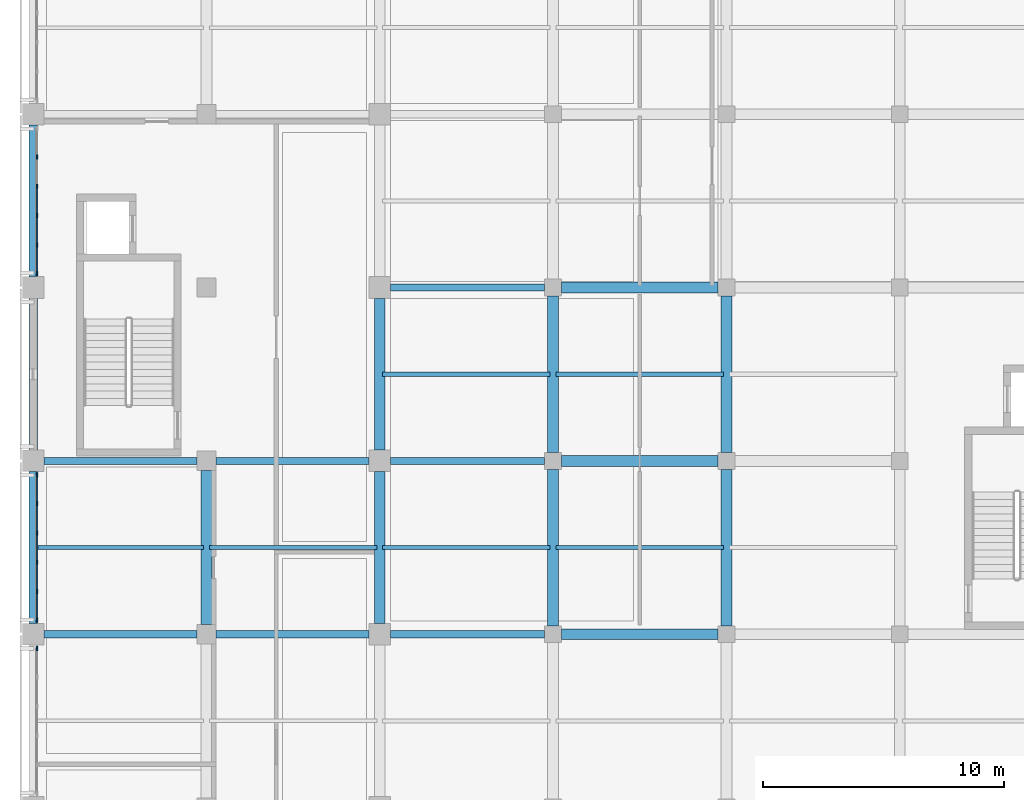
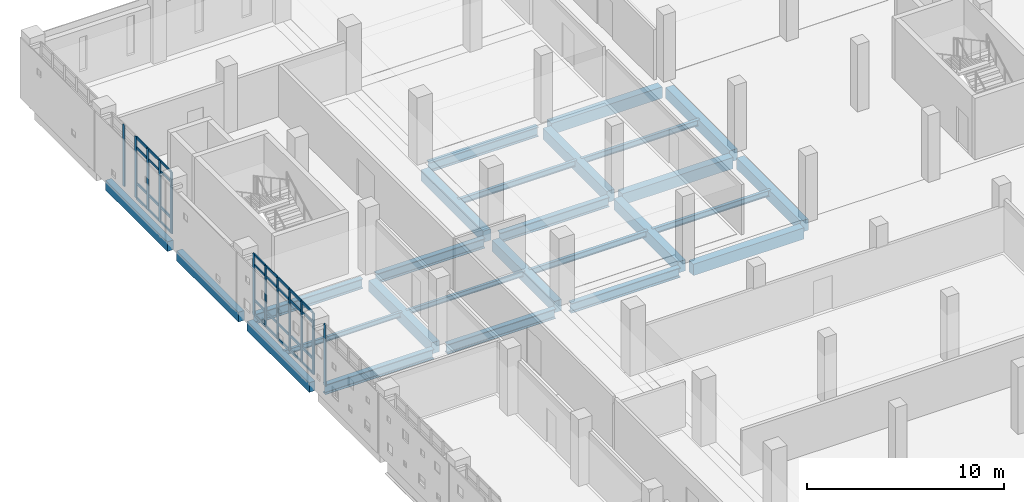
# One storey, part 15 of 57: 44 members, 26 beams, 3 elements without a shape of their own.
"""IFC4 building model written with IfcOpenShell, lengths in metres."""

import ifcopenshell
import ifcopenshell.guid

model = None  # the IFC model being written
_history = None  # IfcOwnerHistory: only IFC2X3 demands one
_inside = {}  # id of a spatial element -> (the spatial element, [elements in it])
_under = {}  # id of a project, library or spatial element -> (it, [spatial elements below it])
_declared = {}  # id of a project -> (the project, [libraries it declares])
_typed = {}  # id of a type object -> (the type object, [elements of that type])
_made_of = {}  # id of a material, layer set ... -> (it, [elements and type objects made of it])


def new_model(schema):
    """Start an empty IFC model of exactly this schema.

    Asked for "IFC4X3", IfcOpenShell would pick the latest addendum, in which some entities
    have other attributes; the version numbers below select the first issue.
    IFC2X3 requires an IfcOwnerHistory on every rooted entity: one is made here for all.
    """
    global model, _history
    if schema == "IFC4X3":
        model = ifcopenshell.file(schema_version=(4, 3, 0, 0))
    else:
        model = ifcopenshell.file(schema=schema)
    _inside.clear()
    _under.clear()
    _declared.clear()
    _typed.clear()
    _made_of.clear()
    _history = None
    if model.schema == "IFC2X3":
        org = make("IfcOrganization", Name="unknown")
        user = make(
            "IfcPersonAndOrganization",
            ThePerson=make("IfcPerson", FamilyName="unknown"),
            TheOrganization=org,
        )
        app = make(
            "IfcApplication",
            ApplicationDeveloper=org,
            Version="unknown",
            ApplicationFullName="unknown",
            ApplicationIdentifier="unknown",
        )
        _history = make(
            "IfcOwnerHistory",
            OwningUser=user,
            OwningApplication=app,
            ChangeAction="ADDED",
            CreationDate=0,
        )
    return model


def make(cls, **values):
    """One entity of the class cls with the attributes given. An attribute that is None is left unset."""
    return model.create_entity(
        cls, **{name: value for name, value in values.items() if value is not None}
    )


def rooted(cls, **values):
    """An entity with a GlobalId (a new one), such as an element, a storey or a relation."""
    return make(cls, GlobalId=ifcopenshell.guid.new(), OwnerHistory=_history, **values)


def si_unit(unit_type, name, prefix=None):
    """IfcSIUnit, for example si_unit("LENGTHUNIT", "METRE", prefix="MILLI")."""
    return make("IfcSIUnit", UnitType=unit_type, Prefix=prefix, Name=name)


def assignment(units):
    """IfcUnitAssignment: the units of a project."""
    return None if units is None else make("IfcUnitAssignment", Units=units)


def point(xyz):
    """IfcCartesianPoint."""
    return None if xyz is None else make("IfcCartesianPoint", Coordinates=xyz)


def direction(xyz):
    """IfcDirection."""
    return None if xyz is None else make("IfcDirection", DirectionRatios=xyz)


def frame(location, z_axis=None, x_axis=None):
    """IfcAxis2Placement3D, a coordinate frame: its origin and axes. An axis left out is left unset."""
    return make(
        "IfcAxis2Placement3D",
        Location=point(location),
        Axis=direction(z_axis),
        RefDirection=direction(x_axis),
    )


def frame_2d(location, x_axis=None):
    """IfcAxis2Placement2D, a coordinate frame in the plane: its origin and x axis."""
    return make(
        "IfcAxis2Placement2D", Location=point(location), RefDirection=direction(x_axis)
    )


def origin():
    """The frame at (0, 0, 0) with its axes left unset."""
    return frame((0.0, 0.0, 0.0))


def origin_2d():
    """The frame at (0, 0) in the plane with its x axis left unset."""
    return frame_2d((0.0, 0.0))


def place(relative_to, where):
    """IfcLocalPlacement: puts the frame where relative to a parent placement (None: the world)."""
    return make(
        "IfcLocalPlacement", PlacementRelTo=relative_to, RelativePlacement=where
    )


def context(
    kind, dimensions, precision=None, world=None, true_north=None, identifier=None
):
    """IfcGeometricRepresentationContext, for example the 3D "Model" context."""
    return make(
        "IfcGeometricRepresentationContext",
        ContextIdentifier=identifier,
        ContextType=kind,
        CoordinateSpaceDimension=dimensions,
        Precision=precision,
        WorldCoordinateSystem=world,
        TrueNorth=true_north,
    )


def subcontext(parent, identifier, kind, view, scale=None):
    """IfcGeometricRepresentationSubContext, for example "Body" below "Model"."""
    return make(
        "IfcGeometricRepresentationSubContext",
        ContextIdentifier=identifier,
        ContextType=kind,
        ParentContext=parent,
        TargetScale=scale,
        TargetView=view,
    )


def project(units=None, contexts=None):
    """IfcProject with its units and contexts."""
    return rooted(
        "IfcProject",
        Name="project",
        RepresentationContexts=contexts,
        UnitsInContext=assignment(units),
    )


def spatial(cls, under=None, at=None, **own):
    """A site, building, storey or space (cls), placed at a placement, below another one or the project."""
    s = rooted(cls, ObjectPlacement=at, **own)
    if under is not None:
        _under.setdefault(under.id(), (under, []))[1].append(s)
    return s


def profile(cls, at=None, kind="AREA", **sizes):
    """A parametric profile (cls). Its sizes go by their IFC names, for example OverallWidth=200.0."""
    return make(cls, ProfileType=kind, Position=at, **sizes)


def rectangle(**sizes):
    """IfcRectangleProfileDef."""
    return profile("IfcRectangleProfileDef", **sizes)


def i_section(**sizes):
    """IfcIShapeProfileDef."""
    return profile("IfcIShapeProfileDef", **sizes)


def extrude(swept, where, along, depth):
    """IfcExtrudedAreaSolid: the profile swept, set in the frame where, extruded along a direction by depth."""
    return make(
        "IfcExtrudedAreaSolid",
        SweptArea=swept,
        Position=where,
        ExtrudedDirection=direction(along),
        Depth=depth,
    )


def shape(context_of_items, identifier, shape_type, items):
    """IfcShapeRepresentation: the items that make up one representation, for example the "Body"."""
    return make(
        "IfcShapeRepresentation",
        ContextOfItems=context_of_items,
        RepresentationIdentifier=identifier,
        RepresentationType=shape_type,
        Items=items,
    )


def material(Name=None, Category=None):
    """IfcMaterial."""
    return make("IfcMaterial", Name=Name, Category=Category)


def layer(
    of_material, thickness, ventilated=None, Name=None, Category=None, Priority=None
):
    """IfcMaterialLayer: one layer of a wall or slab, of a material (None: an air gap)."""
    return make(
        "IfcMaterialLayer",
        Material=of_material,
        LayerThickness=thickness,
        IsVentilated=ventilated,
        Name=Name,
        Category=Category,
        Priority=Priority,
    )


def layer_set(layers, Name=None):
    """IfcMaterialLayerSet."""
    return make("IfcMaterialLayerSet", MaterialLayers=layers, LayerSetName=Name)


def material_profile(
    of_material, cross_section, Name=None, Category=None, Priority=None
):
    """IfcMaterialProfile: a cross section and its material."""
    return make(
        "IfcMaterialProfile",
        Name=Name,
        Material=of_material,
        Profile=cross_section,
        Priority=Priority,
        Category=Category,
    )


def profile_set(profiles, Name=None, composite=None):
    """IfcMaterialProfileSet."""
    return make(
        "IfcMaterialProfileSet",
        Name=Name,
        MaterialProfiles=profiles,
        CompositeProfile=composite,
    )


def made_of(thing, what):
    """Note that an element or type object is made of a material, layer set ...; save() writes the relation."""
    if what is not None:
        _made_of.setdefault(what.id(), (what, []))[1].append(thing)
    return thing


def type_object(cls, material=None, **own):
    """A type object (cls), such as IfcWallType, which elements share."""
    return made_of(rooted(cls, **own), material)


def element(
    cls,
    number,
    at=None,
    inside=None,
    cuts=None,
    type_object=None,
    material=None,
    context=None,
    identifier="Body",
    shape_type=None,
    held_by="IfcProductDefinitionShape",
    body=None,
    shapes=None,
    **own,
):
    """One element of the class cls, such as IfcWall. Its Tag is "e" and its number.

    at: its placement. inside: the storey or other place that contains it. cuts: it is an
    opening in that element (IfcRelVoidsElement). A single representation is given by context,
    identifier, shape_type and body (its items); several are given by shapes. held_by: the class
    of the entity that holds the representations. save() writes the other relations.
    """
    e = rooted(cls, Tag="e%d" % number, ObjectPlacement=at, **own)
    if body is not None:
        shapes = [shape(context, identifier, shape_type, body)]
    if shapes is not None:
        e.Representation = make(held_by, Representations=shapes)
    if inside is not None:
        _inside.setdefault(inside.id(), (inside, []))[1].append(e)
    if cuts is not None:
        rooted(
            "IfcRelVoidsElement", RelatingBuildingElement=cuts, RelatedOpeningElement=e
        )
    if type_object is not None:
        _typed.setdefault(type_object.id(), (type_object, []))[1].append(e)
    return made_of(e, material)


def aggregate(whole, parts):
    """IfcRelAggregates: a whole, such as a stair, and the parts it consists of."""
    return rooted("IfcRelAggregates", RelatingObject=whole, RelatedObjects=parts)


def save(model, path):
    """Write the relations noted so far, then the file.

    IfcRelAggregates (storeys below a building ...), IfcRelContainedInSpatialStructure (elements
    in a storey), IfcRelDefinesByType, IfcRelAssociatesMaterial and IfcRelDeclares: one each for
    every whole, place, type object, material and project.
    """
    for whole, parts in _under.values():
        aggregate(whole, parts)
    for where, things in _inside.values():
        rooted(
            "IfcRelContainedInSpatialStructure",
            RelatedElements=things,
            RelatingStructure=where,
        )
    for kind, things in _typed.values():
        rooted("IfcRelDefinesByType", RelatedObjects=things, RelatingType=kind)
    for what, things in _made_of.values():
        rooted("IfcRelAssociatesMaterial", RelatedObjects=things, RelatingMaterial=what)
    for by, libraries in _declared.values():
        rooted("IfcRelDeclares", RelatingContext=by, RelatedDefinitions=libraries)
    model.write(path)


model = new_model("IFC4")

# Units and contexts
model_context = context("Model", 3, precision=1e-05, world=origin(), true_north=direction((0.0, 1.0)))
body_context = subcontext(model_context, "Body", "Model", "MODEL_VIEW")
ifc_project = project(units=[si_unit("LENGTHUNIT", "METRE"), si_unit("AREAUNIT", "SQUARE_METRE"), si_unit("VOLUMEUNIT", "CUBIC_METRE"), si_unit("PLANEANGLEUNIT", "RADIAN"), si_unit("MASSUNIT", "GRAM", prefix="KILO")], contexts=[model_context])

# Site, building, storey
site_placement = place(None, origin())
site = spatial("IfcSite", under=ifc_project, at=site_placement, CompositionType="ELEMENT")
building_placement = place(site_placement, origin())
building = spatial("IfcBuilding", under=site, at=building_placement, Name="Valkovuoma Quantum and Materials Research Institute", CompositionType="ELEMENT")
storey_placement = place(building_placement, frame((0.0, 0.0, 4.800048828125)))
storey = spatial("IfcBuildingStorey", under=building, at=storey_placement, Name="L01", CompositionType="ELEMENT", Elevation=4.800048828125)

# Beams
ifc_material_1 = material(Name="Steel S355J2", Category="steel")
ifc_material_profile_1 = material_profile(ifc_material_1, i_section(OverallWidth=0.300048828125, OverallDepth=0.60009765625, WebThickness=0.015380859375, FlangeThickness=0.030029296875, FilletRadius=0.027099609375, at=origin_2d()), Name="Steel S355J2")
ifc_profile_set_1 = profile_set([ifc_material_profile_1], Name="Steel S355J2")
beam_type_1 = type_object("IfcBeamType", Name="Beam-B-HEB600", PredefinedType="BEAM", material=ifc_profile_set_1)
beam_1_placement = place(storey_placement, frame((0.449951171875, 64.800048828125, -0.650146484375), z_axis=(1.0, 0.0, 0.0), x_axis=(0.0, 1.0, 0.0)))
element("IfcBeam", 1, at=beam_1_placement, inside=storey, type_object=beam_type_1, Name="L01 beam X-0628", PredefinedType="BEAM", context=body_context, shape_type="SweptSolid", body=[
    extrude(i_section(OverallWidth=0.300048828125, OverallDepth=0.60009765625, WebThickness=0.015380859375, FlangeThickness=0.030029296875, FilletRadius=0.027099609375, at=origin_2d()), origin(), (0.0, 0.0, 1.0), 6.35009765625),
])
beam_2_placement = place(storey_placement, frame((7.60009765625, 64.800048828125, -0.650146484375), z_axis=(1.0, 0.0, 0.0), x_axis=(0.0, 1.0, 0.0)))
element("IfcBeam", 2, at=beam_2_placement, inside=storey, type_object=beam_type_1, Name="L01 beam X-0629", PredefinedType="BEAM", context=body_context, shape_type="SweptSolid", body=[
    extrude(i_section(OverallWidth=0.300048828125, OverallDepth=0.60009765625, WebThickness=0.015380859375, FlangeThickness=0.030029296875, FilletRadius=0.027099609375, at=origin_2d()), origin(), (0.0, 0.0, 1.0), 6.349853515625),
])
beam_3_placement = place(storey_placement, frame((14.85009765625, 64.800048828125, -0.650146484375), z_axis=(1.0, 0.0, 0.0), x_axis=(0.0, 1.0, 0.0)))
element("IfcBeam", 3, at=beam_3_placement, inside=storey, type_object=beam_type_1, Name="L01 beam X-0630", PredefinedType="BEAM", context=body_context, shape_type="SweptSolid", body=[
    extrude(i_section(OverallWidth=0.300048828125, OverallDepth=0.60009765625, WebThickness=0.015380859375, FlangeThickness=0.030029296875, FilletRadius=0.027099609375, at=origin_2d()), origin(), (0.0, 0.0, 1.0), 6.39990234375),
])
beam_4_placement = place(storey_placement, frame((0.449951171875, 72.0, -0.650146484375), z_axis=(1.0, 0.0, 0.0), x_axis=(0.0, 1.0, 0.0)))
element("IfcBeam", 4, at=beam_4_placement, inside=storey, type_object=beam_type_1, Name="L01 beam X-0647", PredefinedType="BEAM", context=body_context, shape_type="SweptSolid", body=[
    extrude(i_section(OverallWidth=0.300048828125, OverallDepth=0.60009765625, WebThickness=0.015380859375, FlangeThickness=0.030029296875, FilletRadius=0.027099609375, at=origin_2d()), origin(), (0.0, 0.0, 1.0), 6.35009765625),
])
beam_5_placement = place(storey_placement, frame((7.60009765625, 72.0, -0.650146484375), z_axis=(1.0, 0.0, 0.0), x_axis=(0.0, 1.0, 0.0)))
element("IfcBeam", 5, at=beam_5_placement, inside=storey, type_object=beam_type_1, Name="L01 beam X-0648", PredefinedType="BEAM", context=body_context, shape_type="SweptSolid", body=[
    extrude(i_section(OverallWidth=0.300048828125, OverallDepth=0.60009765625, WebThickness=0.015380859375, FlangeThickness=0.030029296875, FilletRadius=0.027099609375, at=origin_2d()), origin(), (0.0, 0.0, 1.0), 6.349853515625),
])
for number, where, z_axis, x_axis, name in (
    (6, (14.85009765625, 72.0, -0.650146484375), (1.0, 0.0, 0.0), (0.0, 1.0, 0.0), "L01 beam X-0649"),
    (7, (14.85009765625, 79.199951171875, -0.650146484375), (1.0, 0.0, 0.0), (0.0, 1.0, 0.0), "L01 beam X-0657"),
):
    element("IfcBeam", number, at=place(storey_placement, frame(where, z_axis=z_axis, x_axis=x_axis)), inside=storey, type_object=beam_type_1, Name=name, PredefinedType="BEAM", context=body_context, shape_type="SweptSolid", body=[
        extrude(i_section(OverallWidth=0.300048828125, OverallDepth=0.60009765625, WebThickness=0.015380859375, FlangeThickness=0.030029296875, FilletRadius=0.027099609375, at=origin_2d()), origin(), (0.0, 0.0, 1.0), 6.39990234375),
    ])
ifc_material_2 = material(Name="Steel S355J2", Category="steel")
ifc_material_profile_2 = material_profile(ifc_material_2, i_section(OverallWidth=0.14990234375, OverallDepth=0.300048828125, WebThickness=0.007080078125, FlangeThickness=0.0107421875, FilletRadius=0.014892578125, at=origin_2d()), Name="Steel S355J2")
ifc_profile_set_2 = profile_set([ifc_material_profile_2], Name="Steel S355J2")
beam_type_2 = type_object("IfcBeamType", Name="Beam-B-JST300", PredefinedType="JOIST", material=ifc_profile_set_2)
for number, where, z_axis, x_axis, name in (
    (8, (0.1201171875, 68.39990234375, -0.5), (1.0, 0.0, 0.0), (0.0, 1.0, 0.0), "L01 floor joist 0923"),
    (9, (7.320068359375, 68.39990234375, -0.5), (1.0, 0.0, 0.0), (0.0, 1.0, 0.0), "L01 floor joist 0924"),
):
    element("IfcBeam", number, at=place(storey_placement, frame(where, z_axis=z_axis, x_axis=x_axis)), inside=storey, type_object=beam_type_2, Name=name, PredefinedType="JOIST", context=body_context, shape_type="SweptSolid", body=[
        extrude(i_section(OverallWidth=0.14990234375, OverallDepth=0.300048828125, WebThickness=0.007080078125, FlangeThickness=0.0107421875, FilletRadius=0.014892578125, at=origin_2d()), origin(), (0.0, 0.0, 1.0), 6.9599609375),
    ])
ifc_material_3 = material(Name="Steel S355J2", Category="steel")
ifc_material_profile_3 = material_profile(ifc_material_3, i_section(OverallWidth=0.169921875, OverallDepth=0.360107421875, WebThickness=0.008056640625, FlangeThickness=0.0126953125, FilletRadius=0.01806640625, at=origin_2d()), Name="Steel S355J2")
ifc_profile_set_3 = profile_set([ifc_material_profile_3], Name="Steel S355J2")
beam_type_3 = type_object("IfcBeamType", Name="Beam-B-JST360", PredefinedType="JOIST", material=ifc_profile_set_3)
for number, where, z_axis, x_axis, name in (
    (10, (14.52001953125, 68.39990234375, -0.530029296875), (1.0, 0.0, 0.0), (0.0, 1.0, 0.0), "L01 floor joist 0925"),
    (11, (21.719970703125, 68.39990234375, -0.530029296875), (1.0, 0.0, 0.0), (0.0, 1.0, 0.0), "L01 floor joist 0926"),
    (12, (14.52001953125, 75.60009765625, -0.530029296875), (1.0, 0.0, 0.0), (0.0, 1.0, 0.0), "L01 floor joist 0932"),
    (13, (21.719970703125, 75.60009765625, -0.530029296875), (1.0, 0.0, 0.0), (0.0, 1.0, 0.0), "L01 floor joist 0933"),
):
    element("IfcBeam", number, at=place(storey_placement, frame(where, z_axis=z_axis, x_axis=x_axis)), inside=storey, type_object=beam_type_3, Name=name, PredefinedType="JOIST", context=body_context, shape_type="SweptSolid", body=[
        extrude(i_section(OverallWidth=0.169921875, OverallDepth=0.360107421875, WebThickness=0.008056640625, FlangeThickness=0.0126953125, FilletRadius=0.01806640625, at=origin_2d()), origin(), (0.0, 0.0, 1.0), 6.9599609375),
    ])
ifc_material_4 = material(Name="Concrete C40/50", Category="concrete")
ifc_material_profile_4 = material_profile(ifc_material_4, rectangle(XDim=0.449951171875, YDim=0.699951171875, at=origin_2d()), Name="Concrete C40/50")
ifc_profile_set_4 = profile_set([ifc_material_profile_4], Name="Concrete C40/50")
beam_type_4 = type_object("IfcBeamType", Name="Beam-B-RC700", PredefinedType="BEAM", material=ifc_profile_set_4)
for number, where, z_axis, x_axis, name in (
    (14, (21.949951171875, 64.800048828125, -0.699951171875), (1.0, 0.0, 0.0), (0.0, 1.0, 0.0), "L01 beam X-0631"),
    (15, (21.949951171875, 72.0, -0.699951171875), (1.0, 0.0, 0.0), (0.0, 1.0, 0.0), "L01 beam X-0650"),
    (16, (21.949951171875, 79.199951171875, -0.699951171875), (1.0, 0.0, 0.0), (0.0, 1.0, 0.0), "L01 beam X-0658"),
):
    element("IfcBeam", number, at=place(storey_placement, frame(where, z_axis=z_axis, x_axis=x_axis)), inside=storey, type_object=beam_type_4, Name=name, PredefinedType="BEAM", context=body_context, shape_type="SweptSolid", body=[
        extrude(rectangle(XDim=0.449951171875, YDim=0.699951171875, at=origin_2d()), origin(), (0.0, 0.0, 1.0), 6.5),
    ])
beam_6_placement = place(storey_placement, frame((7.199951171875, 65.199951171875, -0.699951171875), z_axis=(0.0, 1.0, 0.0), x_axis=(-1.0, 0.0, 0.0)))
element("IfcBeam", 17, at=beam_6_placement, inside=storey, type_object=beam_type_4, Name="L01 beam Y-0722", PredefinedType="BEAM", context=body_context, shape_type="SweptSolid", body=[
    extrude(rectangle(XDim=0.449951171875, YDim=0.699951171875, at=origin_2d()), origin(), (0.0, 0.0, 1.0), 6.400146484375),
])
for number, where, z_axis, x_axis, name in (
    (18, (14.39990234375, 65.25, -0.699951171875), (0.0, 1.0, 0.0), (-1.0, 0.0, 0.0), "L01 beam Y-0725"),
    (19, (14.39990234375, 72.449951171875, -0.699951171875), (0.0, 1.0, 0.0), (-1.0, 0.0, 0.0), "L01 beam Y-0726"),
):
    element("IfcBeam", number, at=place(storey_placement, frame(where, z_axis=z_axis, x_axis=x_axis)), inside=storey, type_object=beam_type_4, Name=name, PredefinedType="BEAM", context=body_context, shape_type="SweptSolid", body=[
        extrude(rectangle(XDim=0.449951171875, YDim=0.699951171875, at=origin_2d()), origin(), (0.0, 0.0, 1.0), 6.300048828125),
    ])
for number, where, z_axis, x_axis, name in (
    (20, (21.60009765625, 65.14990234375, -0.699951171875), (0.0, 1.0, 0.0), (-1.0, 0.0, 0.0), "L01 beam Y-0735"),
    (21, (21.60009765625, 72.35009765625, -0.699951171875), (0.0, 1.0, 0.0), (-1.0, 0.0, 0.0), "L01 beam Y-0736"),
    (22, (28.800048828125, 65.14990234375, -0.699951171875), (0.0, 1.0, 0.0), (-1.0, 0.0, 0.0), "L01 beam Y-0745"),
    (23, (28.800048828125, 72.35009765625, -0.699951171875), (0.0, 1.0, 0.0), (-1.0, 0.0, 0.0), "L01 beam Y-0746"),
):
    element("IfcBeam", number, at=place(storey_placement, frame(where, z_axis=z_axis, x_axis=x_axis)), inside=storey, type_object=beam_type_4, Name=name, PredefinedType="BEAM", context=body_context, shape_type="SweptSolid", body=[
        extrude(rectangle(XDim=0.449951171875, YDim=0.699951171875, at=origin_2d()), origin(), (0.0, 0.0, 1.0), 6.5),
    ])
ifc_material_5 = material(Name="Concrete C40/50", Category="concrete")
ifc_material_profile_5 = material_profile(ifc_material_5, rectangle(XDim=0.35009765625, YDim=0.60009765625, at=origin_2d()), Name="Concrete C40/50")
ifc_profile_set_5 = profile_set([ifc_material_profile_5], Name="Concrete C40/50")
beam_type_5 = type_object("IfcBeamType", Name="Beam-B-SPN600", PredefinedType="SPANDREL", material=ifc_profile_set_5)
for number, where, z_axis, x_axis, name in (
    (24, (0.0, 65.25, -0.650146484375), (0.0, 1.0, 0.0), (-1.0, 0.0, 0.0), "L01 beam Y-0717"),
    (25, (0.0, 72.449951171875, -0.650146484375), (0.0, 1.0, 0.0), (-1.0, 0.0, 0.0), "L01 beam Y-0718"),
    (26, (0.0, 79.64990234375, -0.650146484375), (0.0, 1.0, 0.0), (-1.0, 0.0, 0.0), "L01 beam Y-0719"),
):
    element("IfcBeam", number, at=place(storey_placement, frame(where, z_axis=z_axis, x_axis=x_axis)), inside=storey, type_object=beam_type_5, Name=name, PredefinedType="SPANDREL", context=body_context, shape_type="SweptSolid", body=[
        extrude(rectangle(XDim=0.35009765625, YDim=0.60009765625, at=origin_2d()), origin(), (0.0, 0.0, 1.0), 6.300048828125),
    ])

# Curtain wall, member
ifc_material_6 = material(Name="Thermally broken aluminium and triple low-E glazing", Category="aluminium")
ifc_layer = layer(ifc_material_6, 0.219970703125)
ifc_layer_set = layer_set([ifc_layer], Name="Thermally broken aluminium and triple low-E glazing")
curtain_wall_type = type_object("IfcCurtainWallType", Name="CW-CW-01", PredefinedType="NOTDEFINED", material=ifc_layer_set)
curtain_wall_1_placement = place(storey_placement, origin())
curtain_wall_1 = element("IfcCurtainWall", 27, at=curtain_wall_1_placement, inside=storey, type_object=curtain_wall_type, Name="L01 curtain wall 014", PredefinedType="NOTDEFINED")
ifc_material_7 = material(Name="Anodised aluminium 6060-T66", Category="aluminium")
ifc_material_profile_6 = material_profile(ifc_material_7, rectangle(XDim=0.06494140625, YDim=0.179931640625, at=origin_2d()), Name="Anodised aluminium 6060-T66")
ifc_profile_set_6 = profile_set([ifc_material_profile_6], Name="Anodised aluminium 6060-T66")
member_type_1 = type_object("IfcMemberType", Name="CWMull-CWM-01", PredefinedType="MULLION", material=ifc_profile_set_6)
member_1_placement = place(storey_placement, frame((0.14990234375, 64.21044921875, 0.0), z_axis=(0.0, 0.0, 1.0), x_axis=(-1.0, 0.0, 0.0)))
member_1 = element("IfcMember", 28, at=member_1_placement, type_object=member_type_1, Name="CW-01 mullion 6", PredefinedType="MULLION", context=body_context, shape_type="SweptSolid", body=[
    extrude(rectangle(XDim=0.06494140625, YDim=0.179931640625, at=origin_2d()), origin(), (0.0, 0.0, 1.0), 3.81005859375),
])
aggregate(curtain_wall_1, [member_1])

# Curtain wall, members
curtain_wall_2_placement = place(storey_placement, origin())
curtain_wall_2 = element("IfcCurtainWall", 29, at=curtain_wall_2_placement, inside=storey, type_object=curtain_wall_type, Name="L01 curtain wall 015", PredefinedType="NOTDEFINED")
member_2_placement = place(storey_placement, frame((0.14990234375, 65.3896484375, 0.0), z_axis=(0.0, 0.0, 1.0), x_axis=(-1.0, 0.0, 0.0)))
member_2 = element("IfcMember", 30, at=member_2_placement, type_object=member_type_1, Name="CW-01 mullion 1", PredefinedType="MULLION", context=body_context, shape_type="SweptSolid", body=[
    extrude(rectangle(XDim=0.06494140625, YDim=0.179931640625, at=origin_2d()), origin(), (0.0, 0.0, 1.0), 3.81005859375),
])
member_3_placement = place(storey_placement, frame((0.14990234375, 66.57421875, 0.0), z_axis=(0.0, 0.0, 1.0), x_axis=(-1.0, 0.0, 0.0)))
member_3 = element("IfcMember", 31, at=member_3_placement, type_object=member_type_1, Name="CW-01 mullion 2", PredefinedType="MULLION", context=body_context, shape_type="SweptSolid", body=[
    extrude(rectangle(XDim=0.06494140625, YDim=0.179931640625, at=origin_2d()), origin(), (0.0, 0.0, 1.0), 3.81005859375),
])
member_4_placement = place(storey_placement, frame((0.14990234375, 67.79150390625, 0.0), z_axis=(0.0, 0.0, 1.0), x_axis=(-1.0, 0.0, 0.0)))
member_4 = element("IfcMember", 32, at=member_4_placement, type_object=member_type_1, Name="CW-01 mullion 3", PredefinedType="MULLION", context=body_context, shape_type="SweptSolid", body=[
    extrude(rectangle(XDim=0.06494140625, YDim=0.179931640625, at=origin_2d()), origin(), (0.0, 0.0, 1.0), 3.81005859375),
])
member_5_placement = place(storey_placement, frame((0.14990234375, 69.008544921875, 0.0), z_axis=(0.0, 0.0, 1.0), x_axis=(-1.0, 0.0, 0.0)))
member_5 = element("IfcMember", 33, at=member_5_placement, type_object=member_type_1, Name="CW-01 mullion 4", PredefinedType="MULLION", context=body_context, shape_type="SweptSolid", body=[
    extrude(rectangle(XDim=0.06494140625, YDim=0.179931640625, at=origin_2d()), origin(), (0.0, 0.0, 1.0), 3.81005859375),
])
member_6_placement = place(storey_placement, frame((0.14990234375, 70.225830078125, 0.0), z_axis=(0.0, 0.0, 1.0), x_axis=(-1.0, 0.0, 0.0)))
member_6 = element("IfcMember", 34, at=member_6_placement, type_object=member_type_1, Name="CW-01 mullion 5", PredefinedType="MULLION", context=body_context, shape_type="SweptSolid", body=[
    extrude(rectangle(XDim=0.06494140625, YDim=0.179931640625, at=origin_2d()), origin(), (0.0, 0.0, 1.0), 3.81005859375),
])
member_7_placement = place(storey_placement, frame((0.14990234375, 71.410400390625, 0.0), z_axis=(0.0, 0.0, 1.0), x_axis=(-1.0, 0.0, 0.0)))
member_7 = element("IfcMember", 35, at=member_7_placement, type_object=member_type_1, Name="CW-01 mullion 6", PredefinedType="MULLION", context=body_context, shape_type="SweptSolid", body=[
    extrude(rectangle(XDim=0.06494140625, YDim=0.179931640625, at=origin_2d()), origin(), (0.0, 0.0, 1.0), 3.81005859375),
])

curtain_wall_3_placement = place(storey_placement, origin())
curtain_wall_3 = element("IfcCurtainWall", 36, at=curtain_wall_3_placement, inside=storey, type_object=curtain_wall_type, Name="L01 curtain wall 016", PredefinedType="NOTDEFINED")
member_8_placement = place(storey_placement, frame((0.14990234375, 79.78955078125, 0.0), z_axis=(0.0, 0.0, 1.0), x_axis=(-1.0, 0.0, 0.0)))
member_8 = element("IfcMember", 37, at=member_8_placement, type_object=member_type_1, Name="CW-01 mullion 1", PredefinedType="MULLION", context=body_context, shape_type="SweptSolid", body=[
    extrude(rectangle(XDim=0.06494140625, YDim=0.179931640625, at=origin_2d()), origin(), (0.0, 0.0, 1.0), 3.81005859375),
])
member_9_placement = place(storey_placement, frame((0.14990234375, 80.974365234375, 0.0), z_axis=(0.0, 0.0, 1.0), x_axis=(-1.0, 0.0, 0.0)))
member_9 = element("IfcMember", 38, at=member_9_placement, type_object=member_type_1, Name="CW-01 mullion 2", PredefinedType="MULLION", context=body_context, shape_type="SweptSolid", body=[
    extrude(rectangle(XDim=0.06494140625, YDim=0.179931640625, at=origin_2d()), origin(), (0.0, 0.0, 1.0), 3.81005859375),
])
member_10_placement = place(storey_placement, frame((0.14990234375, 82.19140625, 0.0), z_axis=(0.0, 0.0, 1.0), x_axis=(-1.0, 0.0, 0.0)))
member_10 = element("IfcMember", 39, at=member_10_placement, type_object=member_type_1, Name="CW-01 mullion 3", PredefinedType="MULLION", context=body_context, shape_type="SweptSolid", body=[
    extrude(rectangle(XDim=0.06494140625, YDim=0.179931640625, at=origin_2d()), origin(), (0.0, 0.0, 1.0), 3.81005859375),
])
member_11_placement = place(storey_placement, frame((0.14990234375, 83.40869140625, 0.0), z_axis=(0.0, 0.0, 1.0), x_axis=(-1.0, 0.0, 0.0)))
member_11 = element("IfcMember", 40, at=member_11_placement, type_object=member_type_1, Name="CW-01 mullion 4", PredefinedType="MULLION", context=body_context, shape_type="SweptSolid", body=[
    extrude(rectangle(XDim=0.06494140625, YDim=0.179931640625, at=origin_2d()), origin(), (0.0, 0.0, 1.0), 3.81005859375),
])
member_12_placement = place(storey_placement, frame((0.14990234375, 84.625732421875, 0.0), z_axis=(0.0, 0.0, 1.0), x_axis=(-1.0, 0.0, 0.0)))
member_12 = element("IfcMember", 41, at=member_12_placement, type_object=member_type_1, Name="CW-01 mullion 5", PredefinedType="MULLION", context=body_context, shape_type="SweptSolid", body=[
    extrude(rectangle(XDim=0.06494140625, YDim=0.179931640625, at=origin_2d()), origin(), (0.0, 0.0, 1.0), 3.81005859375),
])

# Member
ifc_material_8 = material(Name="Anodised aluminium 6060-T66", Category="aluminium")
ifc_material_profile_7 = material_profile(ifc_material_8, rectangle(XDim=0.06494140625, YDim=0.139892578125, at=origin_2d()), Name="Anodised aluminium 6060-T66")
ifc_profile_set_7 = profile_set([ifc_material_profile_7], Name="Anodised aluminium 6060-T66")
member_type_2 = type_object("IfcMemberType", Name="CWTran-CWT-01", PredefinedType="USERDEFINED", material=ifc_profile_set_7)
member_13_placement = place(storey_placement, frame((0.14990234375, 65.422119140625, 0.032470703125), z_axis=(0.0, 1.0, 0.0), x_axis=(-1.0, 0.0, 0.0)))
member_13 = element("IfcMember", 42, at=member_13_placement, type_object=member_type_2, Name="CW-01 transom 1.1", ObjectType="TRANSOM", PredefinedType="USERDEFINED", context=body_context, shape_type="SweptSolid", body=[
    extrude(rectangle(XDim=0.06494140625, YDim=0.139892578125, at=origin_2d()), origin(), (0.0, 0.0, 1.0), 1.11962890625),
])

member_14_placement = place(storey_placement, frame((0.14990234375, 65.422119140625, 0.949951171875), z_axis=(0.0, 1.0, 0.0), x_axis=(-1.0, 0.0, 0.0)))
member_14 = element("IfcMember", 43, at=member_14_placement, type_object=member_type_2, Name="CW-01 transom 1.2", ObjectType="TRANSOM", PredefinedType="USERDEFINED", context=body_context, shape_type="SweptSolid", body=[
    extrude(rectangle(XDim=0.06494140625, YDim=0.139892578125, at=origin_2d()), origin(), (0.0, 0.0, 1.0), 1.11962890625),
])

member_15_placement = place(storey_placement, frame((0.14990234375, 65.422119140625, 3.159912109375), z_axis=(0.0, 1.0, 0.0), x_axis=(-1.0, 0.0, 0.0)))
member_15 = element("IfcMember", 44, at=member_15_placement, type_object=member_type_2, Name="CW-01 transom 1.3", ObjectType="TRANSOM", PredefinedType="USERDEFINED", context=body_context, shape_type="SweptSolid", body=[
    extrude(rectangle(XDim=0.06494140625, YDim=0.139892578125, at=origin_2d()), origin(), (0.0, 0.0, 1.0), 1.11962890625),
])

member_16_placement = place(storey_placement, frame((0.14990234375, 65.422119140625, 3.77734375), z_axis=(0.0, 1.0, 0.0), x_axis=(-1.0, 0.0, 0.0)))
member_16 = element("IfcMember", 45, at=member_16_placement, type_object=member_type_2, Name="CW-01 transom 1.4", ObjectType="TRANSOM", PredefinedType="USERDEFINED", context=body_context, shape_type="SweptSolid", body=[
    extrude(rectangle(XDim=0.06494140625, YDim=0.139892578125, at=origin_2d()), origin(), (0.0, 0.0, 1.0), 1.11962890625),
])

member_17_placement = place(storey_placement, frame((0.14990234375, 66.606689453125, 0.032470703125), z_axis=(0.0, 1.0, 0.0), x_axis=(-1.0, 0.0, 0.0)))
member_17 = element("IfcMember", 46, at=member_17_placement, type_object=member_type_2, Name="CW-01 transom 2.1", ObjectType="TRANSOM", PredefinedType="USERDEFINED", context=body_context, shape_type="SweptSolid", body=[
    extrude(rectangle(XDim=0.06494140625, YDim=0.139892578125, at=origin_2d()), origin(), (0.0, 0.0, 1.0), 1.15234375),
])

member_18_placement = place(storey_placement, frame((0.14990234375, 66.606689453125, 0.949951171875), z_axis=(0.0, 1.0, 0.0), x_axis=(-1.0, 0.0, 0.0)))
member_18 = element("IfcMember", 47, at=member_18_placement, type_object=member_type_2, Name="CW-01 transom 2.2", ObjectType="TRANSOM", PredefinedType="USERDEFINED", context=body_context, shape_type="SweptSolid", body=[
    extrude(rectangle(XDim=0.06494140625, YDim=0.139892578125, at=origin_2d()), origin(), (0.0, 0.0, 1.0), 1.15234375),
])

member_19_placement = place(storey_placement, frame((0.14990234375, 66.606689453125, 3.159912109375), z_axis=(0.0, 1.0, 0.0), x_axis=(-1.0, 0.0, 0.0)))
member_19 = element("IfcMember", 48, at=member_19_placement, type_object=member_type_2, Name="CW-01 transom 2.3", ObjectType="TRANSOM", PredefinedType="USERDEFINED", context=body_context, shape_type="SweptSolid", body=[
    extrude(rectangle(XDim=0.06494140625, YDim=0.139892578125, at=origin_2d()), origin(), (0.0, 0.0, 1.0), 1.15234375),
])

member_20_placement = place(storey_placement, frame((0.14990234375, 66.606689453125, 3.77734375), z_axis=(0.0, 1.0, 0.0), x_axis=(-1.0, 0.0, 0.0)))
member_20 = element("IfcMember", 49, at=member_20_placement, type_object=member_type_2, Name="CW-01 transom 2.4", ObjectType="TRANSOM", PredefinedType="USERDEFINED", context=body_context, shape_type="SweptSolid", body=[
    extrude(rectangle(XDim=0.06494140625, YDim=0.139892578125, at=origin_2d()), origin(), (0.0, 0.0, 1.0), 1.15234375),
])

member_21_placement = place(storey_placement, frame((0.14990234375, 67.823974609375, 0.032470703125), z_axis=(0.0, 1.0, 0.0), x_axis=(-1.0, 0.0, 0.0)))
member_21 = element("IfcMember", 50, at=member_21_placement, type_object=member_type_2, Name="CW-01 transom 3.1", ObjectType="TRANSOM", PredefinedType="USERDEFINED", context=body_context, shape_type="SweptSolid", body=[
    extrude(rectangle(XDim=0.06494140625, YDim=0.139892578125, at=origin_2d()), origin(), (0.0, 0.0, 1.0), 1.152099609375),
])

member_22_placement = place(storey_placement, frame((0.14990234375, 67.823974609375, 0.949951171875), z_axis=(0.0, 1.0, 0.0), x_axis=(-1.0, 0.0, 0.0)))
member_22 = element("IfcMember", 51, at=member_22_placement, type_object=member_type_2, Name="CW-01 transom 3.2", ObjectType="TRANSOM", PredefinedType="USERDEFINED", context=body_context, shape_type="SweptSolid", body=[
    extrude(rectangle(XDim=0.06494140625, YDim=0.139892578125, at=origin_2d()), origin(), (0.0, 0.0, 1.0), 1.152099609375),
])

member_23_placement = place(storey_placement, frame((0.14990234375, 67.823974609375, 3.159912109375), z_axis=(0.0, 1.0, 0.0), x_axis=(-1.0, 0.0, 0.0)))
member_23 = element("IfcMember", 52, at=member_23_placement, type_object=member_type_2, Name="CW-01 transom 3.3", ObjectType="TRANSOM", PredefinedType="USERDEFINED", context=body_context, shape_type="SweptSolid", body=[
    extrude(rectangle(XDim=0.06494140625, YDim=0.139892578125, at=origin_2d()), origin(), (0.0, 0.0, 1.0), 1.152099609375),
])

member_24_placement = place(storey_placement, frame((0.14990234375, 67.823974609375, 3.77734375), z_axis=(0.0, 1.0, 0.0), x_axis=(-1.0, 0.0, 0.0)))
member_24 = element("IfcMember", 53, at=member_24_placement, type_object=member_type_2, Name="CW-01 transom 3.4", ObjectType="TRANSOM", PredefinedType="USERDEFINED", context=body_context, shape_type="SweptSolid", body=[
    extrude(rectangle(XDim=0.06494140625, YDim=0.139892578125, at=origin_2d()), origin(), (0.0, 0.0, 1.0), 1.152099609375),
])

member_25_placement = place(storey_placement, frame((0.14990234375, 69.041015625, 0.032470703125), z_axis=(0.0, 1.0, 0.0), x_axis=(-1.0, 0.0, 0.0)))
member_25 = element("IfcMember", 54, at=member_25_placement, type_object=member_type_2, Name="CW-01 transom 4.1", ObjectType="TRANSOM", PredefinedType="USERDEFINED", context=body_context, shape_type="SweptSolid", body=[
    extrude(rectangle(XDim=0.06494140625, YDim=0.139892578125, at=origin_2d()), origin(), (0.0, 0.0, 1.0), 1.15234375),
])

member_26_placement = place(storey_placement, frame((0.14990234375, 69.041015625, 0.949951171875), z_axis=(0.0, 1.0, 0.0), x_axis=(-1.0, 0.0, 0.0)))
member_26 = element("IfcMember", 55, at=member_26_placement, type_object=member_type_2, Name="CW-01 transom 4.2", ObjectType="TRANSOM", PredefinedType="USERDEFINED", context=body_context, shape_type="SweptSolid", body=[
    extrude(rectangle(XDim=0.06494140625, YDim=0.139892578125, at=origin_2d()), origin(), (0.0, 0.0, 1.0), 1.15234375),
])

member_27_placement = place(storey_placement, frame((0.14990234375, 69.041015625, 3.159912109375), z_axis=(0.0, 1.0, 0.0), x_axis=(-1.0, 0.0, 0.0)))
member_27 = element("IfcMember", 56, at=member_27_placement, type_object=member_type_2, Name="CW-01 transom 4.3", ObjectType="TRANSOM", PredefinedType="USERDEFINED", context=body_context, shape_type="SweptSolid", body=[
    extrude(rectangle(XDim=0.06494140625, YDim=0.139892578125, at=origin_2d()), origin(), (0.0, 0.0, 1.0), 1.15234375),
])

member_28_placement = place(storey_placement, frame((0.14990234375, 69.041015625, 3.77734375), z_axis=(0.0, 1.0, 0.0), x_axis=(-1.0, 0.0, 0.0)))
member_28 = element("IfcMember", 57, at=member_28_placement, type_object=member_type_2, Name="CW-01 transom 4.4", ObjectType="TRANSOM", PredefinedType="USERDEFINED", context=body_context, shape_type="SweptSolid", body=[
    extrude(rectangle(XDim=0.06494140625, YDim=0.139892578125, at=origin_2d()), origin(), (0.0, 0.0, 1.0), 1.15234375),
])

member_29_placement = place(storey_placement, frame((0.14990234375, 70.25830078125, 0.032470703125), z_axis=(0.0, 1.0, 0.0), x_axis=(-1.0, 0.0, 0.0)))
member_29 = element("IfcMember", 58, at=member_29_placement, type_object=member_type_2, Name="CW-01 transom 5.1", ObjectType="TRANSOM", PredefinedType="USERDEFINED", context=body_context, shape_type="SweptSolid", body=[
    extrude(rectangle(XDim=0.06494140625, YDim=0.139892578125, at=origin_2d()), origin(), (0.0, 0.0, 1.0), 1.11962890625),
])

member_30_placement = place(storey_placement, frame((0.14990234375, 70.25830078125, 0.949951171875), z_axis=(0.0, 1.0, 0.0), x_axis=(-1.0, 0.0, 0.0)))
member_30 = element("IfcMember", 59, at=member_30_placement, type_object=member_type_2, Name="CW-01 transom 5.2", ObjectType="TRANSOM", PredefinedType="USERDEFINED", context=body_context, shape_type="SweptSolid", body=[
    extrude(rectangle(XDim=0.06494140625, YDim=0.139892578125, at=origin_2d()), origin(), (0.0, 0.0, 1.0), 1.11962890625),
])

member_31_placement = place(storey_placement, frame((0.14990234375, 70.25830078125, 3.159912109375), z_axis=(0.0, 1.0, 0.0), x_axis=(-1.0, 0.0, 0.0)))
member_31 = element("IfcMember", 60, at=member_31_placement, type_object=member_type_2, Name="CW-01 transom 5.3", ObjectType="TRANSOM", PredefinedType="USERDEFINED", context=body_context, shape_type="SweptSolid", body=[
    extrude(rectangle(XDim=0.06494140625, YDim=0.139892578125, at=origin_2d()), origin(), (0.0, 0.0, 1.0), 1.11962890625),
])

member_32_placement = place(storey_placement, frame((0.14990234375, 70.25830078125, 3.77734375), z_axis=(0.0, 1.0, 0.0), x_axis=(-1.0, 0.0, 0.0)))
member_32 = element("IfcMember", 61, at=member_32_placement, type_object=member_type_2, Name="CW-01 transom 5.4", ObjectType="TRANSOM", PredefinedType="USERDEFINED", context=body_context, shape_type="SweptSolid", body=[
    extrude(rectangle(XDim=0.06494140625, YDim=0.139892578125, at=origin_2d()), origin(), (0.0, 0.0, 1.0), 1.11962890625),
])

aggregate(curtain_wall_2, [member_2, member_3, member_4, member_5, member_6, member_7, member_13, member_14, member_15, member_16, member_17, member_18, member_19, member_20, member_21, member_22, member_23, member_24, member_25, member_26, member_27, member_28, member_29, member_30, member_31, member_32])

member_33_placement = place(storey_placement, frame((0.14990234375, 79.822021484375, 0.032470703125), z_axis=(0.0, 1.0, 0.0), x_axis=(-1.0, 0.0, 0.0)))
member_33 = element("IfcMember", 62, at=member_33_placement, type_object=member_type_2, Name="CW-01 transom 1.1", ObjectType="TRANSOM", PredefinedType="USERDEFINED", context=body_context, shape_type="SweptSolid", body=[
    extrude(rectangle(XDim=0.06494140625, YDim=0.139892578125, at=origin_2d()), origin(), (0.0, 0.0, 1.0), 1.11962890625),
])

member_34_placement = place(storey_placement, frame((0.14990234375, 79.822021484375, 0.949951171875), z_axis=(0.0, 1.0, 0.0), x_axis=(-1.0, 0.0, 0.0)))
member_34 = element("IfcMember", 63, at=member_34_placement, type_object=member_type_2, Name="CW-01 transom 1.2", ObjectType="TRANSOM", PredefinedType="USERDEFINED", context=body_context, shape_type="SweptSolid", body=[
    extrude(rectangle(XDim=0.06494140625, YDim=0.139892578125, at=origin_2d()), origin(), (0.0, 0.0, 1.0), 1.11962890625),
])

member_35_placement = place(storey_placement, frame((0.14990234375, 79.822021484375, 3.159912109375), z_axis=(0.0, 1.0, 0.0), x_axis=(-1.0, 0.0, 0.0)))
member_35 = element("IfcMember", 64, at=member_35_placement, type_object=member_type_2, Name="CW-01 transom 1.3", ObjectType="TRANSOM", PredefinedType="USERDEFINED", context=body_context, shape_type="SweptSolid", body=[
    extrude(rectangle(XDim=0.06494140625, YDim=0.139892578125, at=origin_2d()), origin(), (0.0, 0.0, 1.0), 1.11962890625),
])

member_36_placement = place(storey_placement, frame((0.14990234375, 79.822021484375, 3.77734375), z_axis=(0.0, 1.0, 0.0), x_axis=(-1.0, 0.0, 0.0)))
member_36 = element("IfcMember", 65, at=member_36_placement, type_object=member_type_2, Name="CW-01 transom 1.4", ObjectType="TRANSOM", PredefinedType="USERDEFINED", context=body_context, shape_type="SweptSolid", body=[
    extrude(rectangle(XDim=0.06494140625, YDim=0.139892578125, at=origin_2d()), origin(), (0.0, 0.0, 1.0), 1.11962890625),
])

member_37_placement = place(storey_placement, frame((0.14990234375, 81.0068359375, 0.032470703125), z_axis=(0.0, 1.0, 0.0), x_axis=(-1.0, 0.0, 0.0)))
member_37 = element("IfcMember", 66, at=member_37_placement, type_object=member_type_2, Name="CW-01 transom 2.1", ObjectType="TRANSOM", PredefinedType="USERDEFINED", context=body_context, shape_type="SweptSolid", body=[
    extrude(rectangle(XDim=0.06494140625, YDim=0.139892578125, at=origin_2d()), origin(), (0.0, 0.0, 1.0), 1.152099609375),
])

member_38_placement = place(storey_placement, frame((0.14990234375, 81.0068359375, 0.949951171875), z_axis=(0.0, 1.0, 0.0), x_axis=(-1.0, 0.0, 0.0)))
member_38 = element("IfcMember", 67, at=member_38_placement, type_object=member_type_2, Name="CW-01 transom 2.2", ObjectType="TRANSOM", PredefinedType="USERDEFINED", context=body_context, shape_type="SweptSolid", body=[
    extrude(rectangle(XDim=0.06494140625, YDim=0.139892578125, at=origin_2d()), origin(), (0.0, 0.0, 1.0), 1.152099609375),
])

member_39_placement = place(storey_placement, frame((0.14990234375, 81.0068359375, 3.159912109375), z_axis=(0.0, 1.0, 0.0), x_axis=(-1.0, 0.0, 0.0)))
member_39 = element("IfcMember", 68, at=member_39_placement, type_object=member_type_2, Name="CW-01 transom 2.3", ObjectType="TRANSOM", PredefinedType="USERDEFINED", context=body_context, shape_type="SweptSolid", body=[
    extrude(rectangle(XDim=0.06494140625, YDim=0.139892578125, at=origin_2d()), origin(), (0.0, 0.0, 1.0), 1.152099609375),
])

member_40_placement = place(storey_placement, frame((0.14990234375, 81.0068359375, 3.77734375), z_axis=(0.0, 1.0, 0.0), x_axis=(-1.0, 0.0, 0.0)))
member_40 = element("IfcMember", 69, at=member_40_placement, type_object=member_type_2, Name="CW-01 transom 2.4", ObjectType="TRANSOM", PredefinedType="USERDEFINED", context=body_context, shape_type="SweptSolid", body=[
    extrude(rectangle(XDim=0.06494140625, YDim=0.139892578125, at=origin_2d()), origin(), (0.0, 0.0, 1.0), 1.152099609375),
])

member_41_placement = place(storey_placement, frame((0.14990234375, 82.223876953125, 0.032470703125), z_axis=(0.0, 1.0, 0.0), x_axis=(-1.0, 0.0, 0.0)))
member_41 = element("IfcMember", 70, at=member_41_placement, type_object=member_type_2, Name="CW-01 transom 3.1", ObjectType="TRANSOM", PredefinedType="USERDEFINED", context=body_context, shape_type="SweptSolid", body=[
    extrude(rectangle(XDim=0.06494140625, YDim=0.139892578125, at=origin_2d()), origin(), (0.0, 0.0, 1.0), 1.152099609375),
])

member_42_placement = place(storey_placement, frame((0.14990234375, 82.223876953125, 0.949951171875), z_axis=(0.0, 1.0, 0.0), x_axis=(-1.0, 0.0, 0.0)))
member_42 = element("IfcMember", 71, at=member_42_placement, type_object=member_type_2, Name="CW-01 transom 3.2", ObjectType="TRANSOM", PredefinedType="USERDEFINED", context=body_context, shape_type="SweptSolid", body=[
    extrude(rectangle(XDim=0.06494140625, YDim=0.139892578125, at=origin_2d()), origin(), (0.0, 0.0, 1.0), 1.152099609375),
])

member_43_placement = place(storey_placement, frame((0.14990234375, 82.223876953125, 3.159912109375), z_axis=(0.0, 1.0, 0.0), x_axis=(-1.0, 0.0, 0.0)))
member_43 = element("IfcMember", 72, at=member_43_placement, type_object=member_type_2, Name="CW-01 transom 3.3", ObjectType="TRANSOM", PredefinedType="USERDEFINED", context=body_context, shape_type="SweptSolid", body=[
    extrude(rectangle(XDim=0.06494140625, YDim=0.139892578125, at=origin_2d()), origin(), (0.0, 0.0, 1.0), 1.152099609375),
])

member_44_placement = place(storey_placement, frame((0.14990234375, 82.223876953125, 3.77734375), z_axis=(0.0, 1.0, 0.0), x_axis=(-1.0, 0.0, 0.0)))
member_44 = element("IfcMember", 73, at=member_44_placement, type_object=member_type_2, Name="CW-01 transom 3.4", ObjectType="TRANSOM", PredefinedType="USERDEFINED", context=body_context, shape_type="SweptSolid", body=[
    extrude(rectangle(XDim=0.06494140625, YDim=0.139892578125, at=origin_2d()), origin(), (0.0, 0.0, 1.0), 1.152099609375),
])

aggregate(curtain_wall_3, [member_8, member_9, member_10, member_11, member_12, member_33, member_34, member_35, member_36, member_37, member_38, member_39, member_40, member_41, member_42, member_43, member_44])

save(model, "model.ifc")
